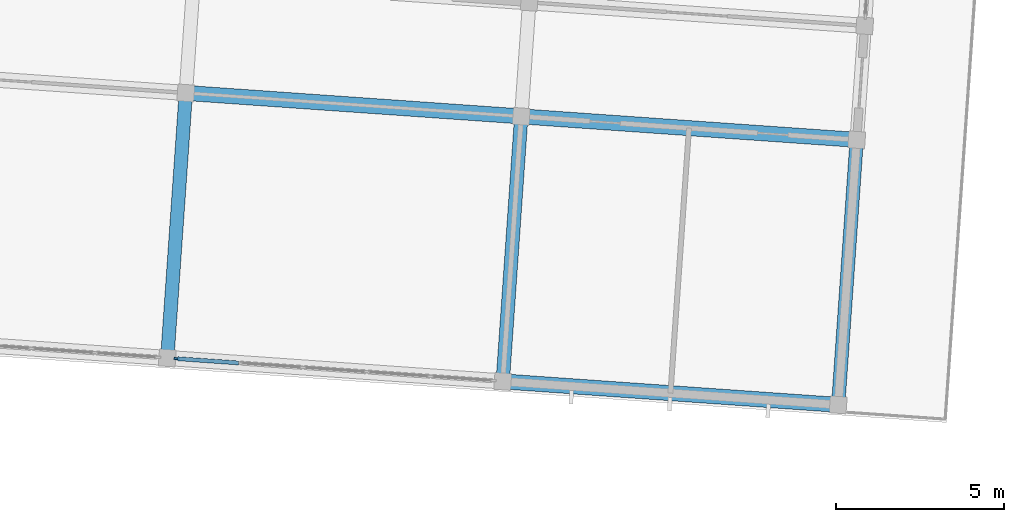
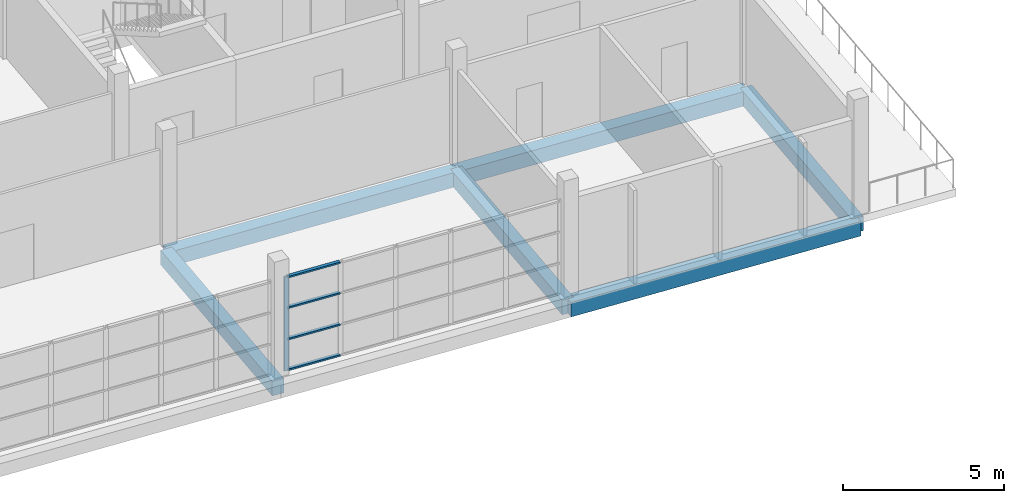
# One storey, part 20 of 50: 6 beams, 5 members, 1 element without a shape of its own.
"""IFC4 building model written with IfcOpenShell, lengths in metres."""

from ifc_helpers import new_model, si_unit, direction, frame, origin, origin_2d, place, context, subcontext, project, spatial, rectangle, extrude, material, material_profile, profile_set, type_object, element, aggregate, save


model = new_model("IFC4")

# Units and contexts
model_context = context("Model", 3, precision=1e-05, world=origin(), true_north=direction((0.0, 1.0)))
body_context = subcontext(model_context, "Body", "Model", "MODEL_VIEW")
ifc_project = project(units=[si_unit("LENGTHUNIT", "METRE"), si_unit("AREAUNIT", "SQUARE_METRE"), si_unit("VOLUMEUNIT", "CUBIC_METRE"), si_unit("PLANEANGLEUNIT", "RADIAN"), si_unit("MASSUNIT", "GRAM", prefix="KILO")], contexts=[model_context])

# Site, building, storey
site_placement = place(None, origin())
site = spatial("IfcSite", under=ifc_project, at=site_placement, CompositionType="ELEMENT")
building_placement = place(site_placement, origin())
building = spatial("IfcBuilding", under=site, at=building_placement, Name="Windward Yard Aquatics Centre", CompositionType="ELEMENT")
storey_placement = place(building_placement, frame((0.0, 0.0, 18.199951171875)))
storey = spatial("IfcBuildingStorey", under=building, at=storey_placement, Name="L04", CompositionType="ELEMENT", Elevation=18.199951171875)

# Curtain wall, members
ifc_material_1 = material(Name="Aluminium curtain wall system", Category="aluminium")
curtain_wall_type = type_object("IfcCurtainWallType", Name="W curtain wall 1900", PredefinedType="NOTDEFINED", material=ifc_material_1)
curtain_wall_placement = place(storey_placement, origin())
curtain_wall = element("IfcCurtainWall", 1, at=curtain_wall_placement, inside=storey, type_object=curtain_wall_type, Name="Wing south glazing L04 4", PredefinedType="NOTDEFINED")
ifc_material_2 = material(Name="Aluminium mullion", Category="aluminium")
ifc_material_profile_1 = material_profile(ifc_material_2, rectangle(XDim=0.06005859375, YDim=0.159912109375, at=origin_2d()), Name="AL 60x160")
ifc_profile_set_1 = profile_set([ifc_material_profile_1], Name="Aluminium mullion")
member_type_1 = type_object("IfcMemberType", Name="W CW mullion 60x160", PredefinedType="MULLION", material=ifc_profile_set_1)
member_1_placement = place(storey_placement, frame((148.045166015625, 114.055419921875, 0.0), z_axis=(0.0, 0.0, 1.0), x_axis=(0.06975831617, 0.997563921423, 0.0)))
member_1 = element("IfcMember", 2, at=member_1_placement, type_object=member_type_1, Name="WCW1 mullion 1", PredefinedType="MULLION", context=body_context, shape_type="SweptSolid", body=[
    extrude(rectangle(XDim=0.06005859375, YDim=0.159912109375, at=origin_2d()), origin(), (0.0, 0.0, 1.0), 3.570068359375),
])
ifc_material_3 = material(Name="Aluminium transom", Category="aluminium")
ifc_material_profile_2 = material_profile(ifc_material_3, rectangle(XDim=0.1201171875, YDim=0.06005859375, at=origin_2d()), Name="AL 120x60")
ifc_profile_set_2 = profile_set([ifc_material_profile_2], Name="Aluminium transom")
member_type_2 = type_object("IfcMemberType", Name="W CW transom 120x60", PredefinedType="USERDEFINED", material=ifc_profile_set_2)
member_2_placement = place(storey_placement, frame((148.074951171875, 114.05322265625, 0.030029296875), z_axis=(0.997565727219, -0.069732487963, 0.0), x_axis=(0.069732487963, 0.997565727219, 0.0)))
member_2 = element("IfcMember", 3, at=member_2_placement, type_object=member_type_2, Name="WCW1 transom 1.1", ObjectType="TRANSOM", PredefinedType="USERDEFINED", context=body_context, shape_type="SweptSolid", body=[
    extrude(rectangle(XDim=0.1201171875, YDim=0.06005859375, at=origin_2d()), origin(), (0.0, 0.0, 1.0), 1.81005859375),
])
member_3_placement = place(storey_placement, frame((148.074951171875, 114.05322265625, 1.18994140625), z_axis=(0.997565727219, -0.069732487963, 0.0), x_axis=(0.069732487963, 0.997565727219, 0.0)))
member_3 = element("IfcMember", 4, at=member_3_placement, type_object=member_type_2, Name="WCW1 transom 1.2", ObjectType="TRANSOM", PredefinedType="USERDEFINED", context=body_context, shape_type="SweptSolid", body=[
    extrude(rectangle(XDim=0.1201171875, YDim=0.06005859375, at=origin_2d()), origin(), (0.0, 0.0, 1.0), 1.81005859375),
])
member_4_placement = place(storey_placement, frame((148.074951171875, 114.05322265625, 2.380126953125), z_axis=(0.997565727219, -0.069732487963, 0.0), x_axis=(0.069732487963, 0.997565727219, 0.0)))
member_4 = element("IfcMember", 5, at=member_4_placement, type_object=member_type_2, Name="WCW1 transom 1.3", ObjectType="TRANSOM", PredefinedType="USERDEFINED", context=body_context, shape_type="SweptSolid", body=[
    extrude(rectangle(XDim=0.1201171875, YDim=0.06005859375, at=origin_2d()), origin(), (0.0, 0.0, 1.0), 1.81005859375),
])
member_5_placement = place(storey_placement, frame((148.074951171875, 114.05322265625, 3.5400390625), z_axis=(0.997565727219, -0.069732487963, 0.0), x_axis=(0.069732487963, 0.997565727219, 0.0)))
member_5 = element("IfcMember", 6, at=member_5_placement, type_object=member_type_2, Name="WCW1 transom 1.4", ObjectType="TRANSOM", PredefinedType="USERDEFINED", context=body_context, shape_type="SweptSolid", body=[
    extrude(rectangle(XDim=0.1201171875, YDim=0.06005859375, at=origin_2d()), origin(), (0.0, 0.0, 1.0), 1.81005859375),
])
aggregate(curtain_wall, [member_1, member_2, member_3, member_4, member_5])

# Beams
ifc_material_4 = material(Name="Concrete C40/50", Category="concrete")
ifc_material_profile_3 = material_profile(ifc_material_4, rectangle(XDim=0.39990234375, YDim=0.550048828125, at=origin_2d()), Name="RC 400x550")
ifc_profile_set_3 = profile_set([ifc_material_profile_3], Name="Concrete C40/50")
beam_type_1 = type_object("IfcBeamType", Name="W RC 400x550 beam Concrete C40/50", PredefinedType="BEAM", material=ifc_profile_set_3)
for number, where, z_axis, x_axis, name in (
    (7, (147.765869140625, 114.07470703125, -0.554931640625), (0.0697491702, 0.997564560947, 0.0), (-0.997564560947, 0.0697491702, 0.0), "W.BV.L04.5.A"),
    (8, (157.741455078125, 113.377197265625, -0.554931640625), (0.0697491702, 0.997564560947, 0.0), (-0.997564560947, 0.0697491702, 0.0), "W.BV.L04.6.A"),
    (9, (167.717041015625, 112.6796875, -0.554931640625), (0.0697491702, 0.997564560947, 0.0), (-0.997564560947, 0.0697491702, 0.0), "W.BV.L04.7.A"),
):
    element("IfcBeam", number, at=place(storey_placement, frame(where, z_axis=z_axis, x_axis=x_axis)), inside=storey, type_object=beam_type_1, Name=name, PredefinedType="BEAM", context=body_context, shape_type="SweptSolid", body=[
        extrude(rectangle(XDim=0.39990234375, YDim=0.550048828125, at=origin_2d()), origin(), (0.0, 0.0, 1.0), 7.900146484375),
    ])
ifc_material_profile_4 = material_profile(ifc_material_4, rectangle(XDim=0.449951171875, YDim=0.550048828125, at=origin_2d()), Name="RC 450x550")
ifc_profile_set_4 = profile_set([ifc_material_profile_4], Name="Concrete C40/50")
beam_type_2 = type_object("IfcBeamType", Name="W RC 450x550 beam Concrete C40/50", PredefinedType="BEAM", material=ifc_profile_set_4)
for number, where, z_axis, x_axis, name in (
    (10, (157.741455078125, 113.377197265625, -0.554931640625), (0.997564406228, -0.069751382981, 0.0), (0.069751382981, 0.997564406228, 0.0), "W.BU.L04.1.6"),
    (11, (148.31689453125, 121.95556640625, -0.554931640625), (0.997564406228, -0.069751382981, 0.0), (0.069751382981, 0.997564406228, 0.0), "W.BU.L04.2.5"),
    (12, (158.29248046875, 121.258056640625, -0.554931640625), (0.997564406228, -0.069751382981, 0.0), (0.069751382981, 0.997564406228, 0.0), "W.BU.L04.2.6"),
):
    element("IfcBeam", number, at=place(storey_placement, frame(where, z_axis=z_axis, x_axis=x_axis)), inside=storey, type_object=beam_type_2, Name=name, PredefinedType="BEAM", context=body_context, shape_type="SweptSolid", body=[
        extrude(rectangle(XDim=0.449951171875, YDim=0.550048828125, at=origin_2d()), origin(), (0.0, 0.0, 1.0), 10.0),
    ])

save(model, "model.ifc")
